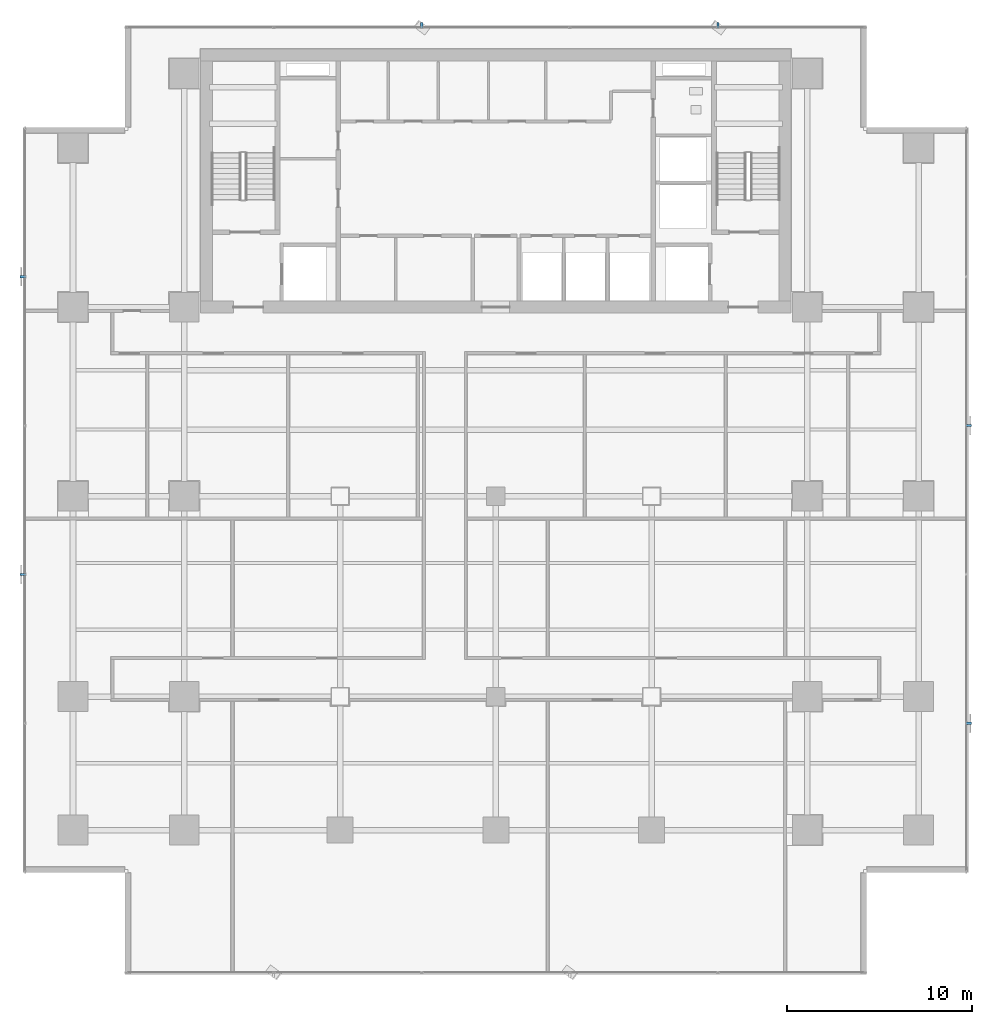
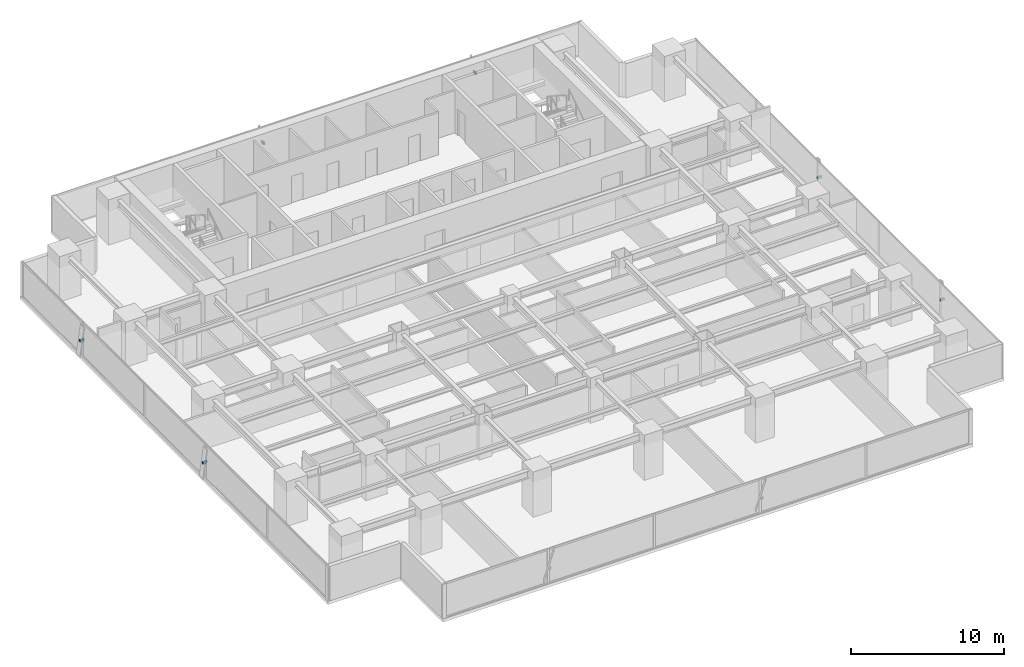
# One storey, part 29 of 34: 6 discrete accessories.
"""IFC4 building model written with IfcOpenShell, lengths in metres."""

from ifc_helpers import new_model, si_unit, direction, frame, origin, origin_2d, place, context, subcontext, project, spatial, rectangle, extrude, source, transform, mapped, material, material_profile, profile_set, type_object, element, save


model = new_model("IFC4")

# Units and contexts
model_context = context("Model", 3, precision=1e-05, world=origin(), true_north=direction((0.0, 1.0)))
body_context = subcontext(model_context, "Body", "Model", "MODEL_VIEW")
ifc_project = project(units=[si_unit("LENGTHUNIT", "METRE"), si_unit("AREAUNIT", "SQUARE_METRE"), si_unit("VOLUMEUNIT", "CUBIC_METRE"), si_unit("PLANEANGLEUNIT", "RADIAN"), si_unit("MASSUNIT", "GRAM", prefix="KILO")], contexts=[model_context])

# Site, building, storey
site_placement = place(None, origin())
site = spatial("IfcSite", under=ifc_project, at=site_placement, CompositionType="ELEMENT")
building_placement = place(site_placement, origin())
building = spatial("IfcBuilding", under=site, at=building_placement, Name="Sumidabori Civic Tower", CompositionType="ELEMENT")
storey_placement = place(building_placement, frame((0.0, 0.0, 99.199951171875)))
storey = spatial("IfcBuildingStorey", under=building, at=storey_placement, Name="L25", CompositionType="ELEMENT", Elevation=99.199951171875)

# Discrete accessories
ifc_material = material(Name="Stainless Steel Hairline Finish", Category="steel")
ifc_material_profile = material_profile(ifc_material, rectangle(XDim=0.1201171875, YDim=0.179931640625, at=origin_2d()), Name="STEEL BRACKET 180x120")
ifc_profile_set = profile_set([ifc_material_profile], Name="Stainless Steel Hairline Finish")
discrete_accessory_type = type_object("IfcDiscreteAccessoryType", Name="AC-BRK-180", PredefinedType="BRACKET", material=ifc_profile_set)
shared_shape_1 = source(origin(), body_context, "Body", "SweptSolid", [
    extrude(rectangle(XDim=0.1201171875, YDim=0.179931640625, at=origin_2d()), origin(), (0.0, 0.0, 1.0), 0.329833984375),
])
for number, where, z_axis, x_axis, name in (
    (1, (25.330078125, -12.241943359375, 1.360107421875), (1.0, 0.0, 0.0), (0.0, 1.0, 0.0), "Bronze Fin Fixing Bracket L25-01"),
    (2, (25.330078125, 3.81396484375, 1.360107421875), (1.0, 0.0, 0.0), (0.0, 1.0, 0.0), "Bronze Fin Fixing Bracket L25-03"),
    (3, (-25.330078125, 11.842041015625, 1.360107421875), (-1.0, 0.0, 0.0), (0.0, -1.0, 0.0), "Bronze Fin Fixing Bracket L25-01"),
    (4, (-25.330078125, -4.214111328125, 1.360107421875), (-1.0, 0.0, 0.0), (0.0, -1.0, 0.0), "Bronze Fin Fixing Bracket L25-03"),
):
    element("IfcDiscreteAccessory", number, at=place(storey_placement, frame(where, z_axis=z_axis, x_axis=x_axis)), inside=storey, type_object=discrete_accessory_type, Name=name, PredefinedType="BRACKET", context=body_context, shape_type="MappedRepresentation", body=[
        mapped(shared_shape_1, transform((0.0, 0.0, 0.0), x_axis=(1.0, 0.0, 0.0), y_axis=(0.0, 1.0, 0.0), z_axis=(0.0, 0.0, 1.0), scale=1.0)),
    ])
shared_shape_2 = source(origin(), body_context, "Body", "SweptSolid", [
    extrude(rectangle(XDim=0.1201171875, YDim=0.179931640625, at=origin_2d()), origin(), (0.0, 0.0, 1.0), 0.330078125),
])
for number, where, z_axis, x_axis, name in (
    (5, (11.98193359375, 25.22998046875, 1.360107421875), (0.0, 1.0, 0.0), (-1.0, 0.0, 0.0), "Bronze Fin Fixing Bracket L25-01"),
    (6, (-3.993896484375, 25.22998046875, 1.360107421875), (0.0, 1.0, 0.0), (-1.0, 0.0, 0.0), "Bronze Fin Fixing Bracket L25-03"),
):
    element("IfcDiscreteAccessory", number, at=place(storey_placement, frame(where, z_axis=z_axis, x_axis=x_axis)), inside=storey, type_object=discrete_accessory_type, Name=name, PredefinedType="BRACKET", context=body_context, shape_type="MappedRepresentation", body=[
        mapped(shared_shape_2, transform((0.0, 0.0, 0.0), x_axis=(1.0, 0.0, 0.0), y_axis=(0.0, 1.0, 0.0), z_axis=(0.0, 0.0, 1.0), scale=1.0)),
    ])

save(model, "model.ifc")
